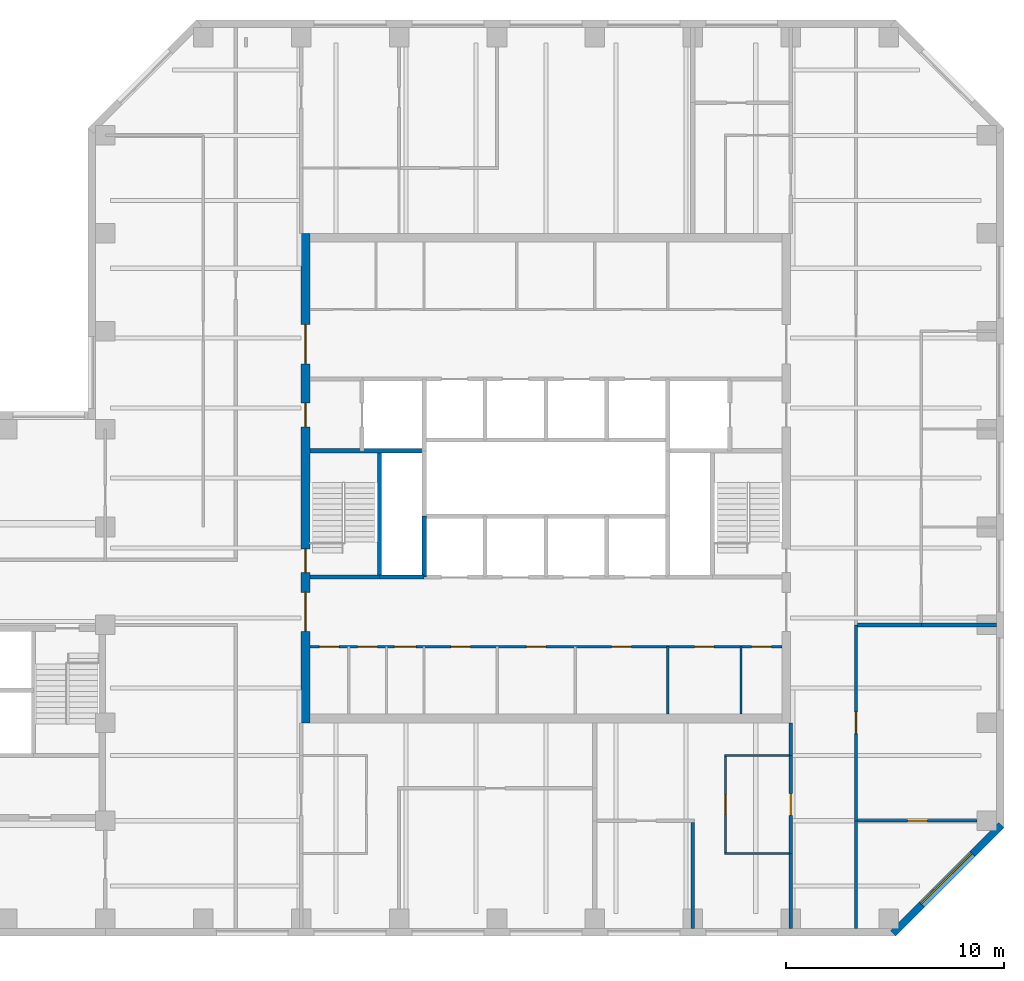
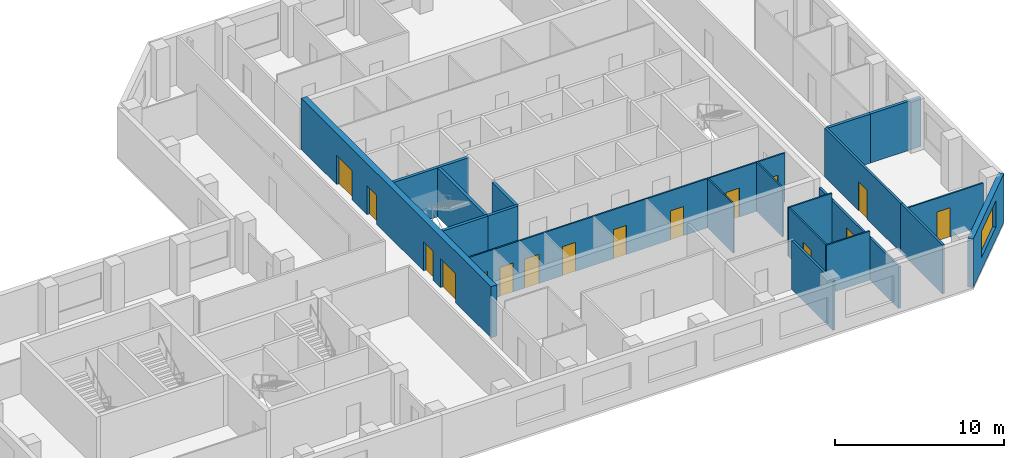
# One storey, part 4 of 8: 22 walls, 16 doors, 1 window, 17 openings.
"""IFC4 building model written with IfcOpenShell, lengths in metres."""

from ifc_helpers import new_model, si_unit, direction, frame, frame_2d, origin, place, context, subcontext, project, spatial, rectangle, extrude, material, layer, layer_set, constituent, constituent_set, type_object, element, fill, save


model = new_model("IFC4")

# Units and contexts
model_context = context("Model", 3, precision=1e-05, world=origin(), true_north=direction((0.0, 1.0)))
body_context = subcontext(model_context, "Body", "Model", "MODEL_VIEW")
ifc_project = project(units=[si_unit("LENGTHUNIT", "METRE"), si_unit("AREAUNIT", "SQUARE_METRE"), si_unit("VOLUMEUNIT", "CUBIC_METRE"), si_unit("PLANEANGLEUNIT", "RADIAN"), si_unit("MASSUNIT", "GRAM", prefix="KILO")], contexts=[model_context])

# Site, building, storey
site_placement = place(None, origin())
site = spatial("IfcSite", under=ifc_project, at=site_placement, CompositionType="ELEMENT")
building_placement = place(site_placement, origin())
building = spatial("IfcBuilding", under=site, at=building_placement, Name="Quoin Convention Tower", CompositionType="ELEMENT")
storey_placement = place(building_placement, frame((0.0, 0.0, 211.89990234375)))
storey = spatial("IfcBuildingStorey", under=building, at=storey_placement, Name="L55", CompositionType="ELEMENT", Elevation=211.89990234375)

# Wall
ifc_material_1 = material(Name="Plasterboard")
ifc_layer_1 = layer(ifc_material_1, 0.012451171875, Name="Finish")
ifc_material_2 = material(Name="Steel stud framing", Category="steel")
ifc_layer_2 = layer(ifc_material_2, 0.125, Name="Structure")
ifc_layer_3 = layer(ifc_material_1, 0.012451171875, Name="Finish")
ifc_layer_set_1 = layer_set([ifc_layer_1, ifc_layer_2, ifc_layer_3], Name="Steel stud framing")
wall_type_1 = type_object("IfcWallType", Name="Acoustic partition 150", PredefinedType="PARTITIONING", material=ifc_layer_set_1)
wall_1_placement = place(storey_placement, frame((63.0, 40.050048828125, 0.0), z_axis=(0.0, 0.0, 1.0), x_axis=(0.0, 1.0, 0.0)))
element("IfcWall", 1, at=wall_1_placement, inside=storey, type_object=wall_type_1, Name="pw-L55-030", PredefinedType="PARTITIONING", context=body_context, shape_type="SweptSolid", body=[
    extrude(rectangle(XDim=4.875, YDim=0.14990234375, at=frame_2d((2.4375, 0.0))), origin(), (0.0, 0.0, 1.0), 3.550048828125),
])

# Wall, opening, window
ifc_material_3 = material(Name="Brick masonry", Category="masonry")
ifc_layer_4 = layer(ifc_material_3, 0.35009765625)
ifc_layer_set_2 = layer_set([ifc_layer_4], Name="Brick masonry")
wall_type_2 = type_object("IfcWallType", Name="Brick facade wall", PredefinedType="STANDARD", material=ifc_layer_set_2)
wall_2_placement = place(storey_placement, frame((72.20751953125, 39.82373046875, 0.0), z_axis=(0.0, 0.0, 1.0), x_axis=(0.707106781187, 0.707106781187, 0.0)))
wall_2 = element("IfcWall", 2, at=wall_2_placement, inside=storey, type_object=wall_type_2, Name="fw-L55-72000_40500", PredefinedType="STANDARD", context=body_context, shape_type="SweptSolid", body=[
    extrude(rectangle(XDim=7.02685546875, YDim=0.35009765625, at=frame_2d((3.513427734375, 0.0))), origin(), (0.0, 0.0, 1.0), 3.525146484375),
])
opening_1_placement = place(wall_2_placement, frame((1.86328125, 0.0, 0.89990234375)))
opening_1 = element("IfcOpeningElement", 3, at=opening_1_placement, cuts=wall_2, Name="Opening W-02", PredefinedType="OPENING", context=body_context, shape_type="SweptSolid", body=[
    extrude(rectangle(XDim=3.300048828125, YDim=1.89990234375, at=frame_2d((1.64990234375, 0.949951171875))), frame((0.0, 0.18505859375, 0.0), z_axis=(0.0, -1.0, 0.0), x_axis=(1.0, 0.0, 0.0)), (0.0, 0.0, 1.0), 0.3701171875),
])
ifc_material_4 = material(Name="Aluminium", Category="aluminium")
ifc_constituent_1 = constituent(ifc_material_4, Name="Frame")
ifc_material_5 = material(Name="Insulated glass", Category="glass")
ifc_constituent_2 = constituent(ifc_material_5, Name="Glazing")
ifc_constituent_set = constituent_set(constituents=[ifc_constituent_1, ifc_constituent_2], Name="Aluminium")
window_type = type_object("IfcWindowType", Name="Office window", PartitioningType="DOUBLE_PANEL_VERTICAL", PredefinedType="WINDOW", material=ifc_constituent_set)
window_placement = place(opening_1_placement, origin())
window = element("IfcWindow", 4, at=window_placement, inside=storey, type_object=window_type, Name="win-L55-74692_42308", OverallHeight=1.89990234375, OverallWidth=3.300048828125, PartitioningType="SINGLE_PANEL", PredefinedType="WINDOW", context=body_context, shape_type="SweptSolid", body=[
    extrude(rectangle(XDim=3.300048828125, YDim=1.89990234375, at=frame_2d((1.64990234375, 0.949951171875))), frame((0.0, 0.0849609375, 0.0), z_axis=(0.0, -1.0, 0.0), x_axis=(1.0, 0.0, 0.0)), (0.0, 0.0, 1.0), 0.06005859375),
])
fill(opening_1, window)

# Wall, openings, doors
ifc_layer_5 = layer(ifc_material_1, 0.012451171875, Name="Finish")
ifc_layer_6 = layer(ifc_material_2, 0.074951171875, Name="Structure")
ifc_layer_7 = layer(ifc_material_1, 0.012451171875, Name="Finish")
ifc_layer_set_3 = layer_set([ifc_layer_5, ifc_layer_6, ifc_layer_7], Name="Steel stud framing")
wall_type_3 = type_object("IfcWallType", Name="Core partition wall", PredefinedType="PARTITIONING", material=ifc_layer_set_3)
wall_3_placement = place(storey_placement, frame((45.39990234375, 53.0, 0.0), z_axis=(0.0, 0.0, 1.0), x_axis=(1.0, 0.0, 0.0)))
wall_3 = element("IfcWall", 5, at=wall_3_placement, inside=storey, type_object=wall_type_3, Name="cr-C1-L55-h3500_400", PredefinedType="PARTITIONING", context=body_context, shape_type="SweptSolid", body=[
    extrude(rectangle(XDim=21.7001953125, YDim=0.10009765625, at=frame_2d((10.85009765625, 0.0))), origin(), (0.0, 0.0, 1.0), 3.550048828125),
])
opening_2_placement = place(wall_3_placement, frame((20.304931640625, 0.0, 0.0)))
opening_2 = element("IfcOpeningElement", 6, at=opening_2_placement, cuts=wall_3, Name="Opening DCV1-36", PredefinedType="OPENING", context=body_context, shape_type="SweptSolid", body=[
    extrude(rectangle(XDim=0.89990234375, YDim=2.10009765625, at=frame_2d((0.449951171875, 1.050048828125))), frame((0.0, 0.06005859375, 0.0), z_axis=(0.0, -1.0, 0.0), x_axis=(1.0, 0.0, 0.0)), (0.0, 0.0, 1.0), 0.1201171875),
])
opening_3_placement = place(wall_3_placement, frame((17.679931640625, 0.0, 0.0)))
opening_3 = element("IfcOpeningElement", 7, at=opening_3_placement, cuts=wall_3, Name="Opening DCV1-35", PredefinedType="OPENING", context=body_context, shape_type="SweptSolid", body=[
    extrude(rectangle(XDim=0.89990234375, YDim=2.10009765625, at=frame_2d((0.449951171875, 1.050048828125))), frame((0.0, 0.06005859375, 0.0), z_axis=(0.0, -1.0, 0.0), x_axis=(1.0, 0.0, 0.0)), (0.0, 0.0, 1.0), 0.1201171875),
])
opening_4_placement = place(wall_3_placement, frame((0.4423828125, 0.0, 0.0)))
opening_4 = element("IfcOpeningElement", 8, at=opening_4_placement, cuts=wall_3, Name="Opening DCV1-27", PredefinedType="OPENING", context=body_context, shape_type="SweptSolid", body=[
    extrude(rectangle(XDim=0.89990234375, YDim=2.10009765625, at=frame_2d((0.449951171875, 1.050048828125))), frame((0.0, 0.06005859375, 0.0), z_axis=(0.0, -1.0, 0.0), x_axis=(1.0, 0.0, 0.0)), (0.0, 0.0, 1.0), 0.1201171875),
])
opening_5_placement = place(wall_3_placement, frame((2.201416015625, 0.0, 0.0)))
opening_5 = element("IfcOpeningElement", 9, at=opening_5_placement, cuts=wall_3, Name="Opening DCV1-28", PredefinedType="OPENING", context=body_context, shape_type="SweptSolid", body=[
    extrude(rectangle(XDim=0.89990234375, YDim=2.10009765625, at=frame_2d((0.449951171875, 1.050048828125))), frame((0.0, 0.06005859375, 0.0), z_axis=(0.0, -1.0, 0.0), x_axis=(1.0, 0.0, 0.0)), (0.0, 0.0, 1.0), 0.1201171875),
])
opening_6_placement = place(wall_3_placement, frame((3.8837890625, 0.0, 0.0)))
opening_6 = element("IfcOpeningElement", 10, at=opening_6_placement, cuts=wall_3, Name="Opening DCV1-29", PredefinedType="OPENING", context=body_context, shape_type="SweptSolid", body=[
    extrude(rectangle(XDim=1.0, YDim=2.10009765625, at=frame_2d((0.5, 1.050048828125))), frame((0.0, 0.06005859375, 0.0), z_axis=(0.0, -1.0, 0.0), x_axis=(1.0, 0.0, 0.0)), (0.0, 0.0, 1.0), 0.1201171875),
])
opening_7_placement = place(wall_3_placement, frame((6.47998046875, 0.0, 0.0)))
opening_7 = element("IfcOpeningElement", 11, at=opening_7_placement, cuts=wall_3, Name="Opening DCV1-30", PredefinedType="OPENING", context=body_context, shape_type="SweptSolid", body=[
    extrude(rectangle(XDim=0.89990234375, YDim=2.10009765625, at=frame_2d((0.449951171875, 1.050048828125))), frame((0.0, 0.06005859375, 0.0), z_axis=(0.0, -1.0, 0.0), x_axis=(1.0, 0.0, 0.0)), (0.0, 0.0, 1.0), 0.1201171875),
])
opening_8_placement = place(wall_3_placement, frame((9.951904296875, 0.0, 0.0)))
opening_8 = element("IfcOpeningElement", 12, at=opening_8_placement, cuts=wall_3, Name="Opening DCV1-32", PredefinedType="OPENING", context=body_context, shape_type="SweptSolid", body=[
    extrude(rectangle(XDim=0.89990234375, YDim=2.10009765625, at=frame_2d((0.449951171875, 1.050048828125))), frame((0.0, 0.06005859375, 0.0), z_axis=(0.0, -1.0, 0.0), x_axis=(1.0, 0.0, 0.0)), (0.0, 0.0, 1.0), 0.1201171875),
])
opening_9_placement = place(wall_3_placement, frame((13.8720703125, 0.0, 0.0)))
opening_9 = element("IfcOpeningElement", 13, at=opening_9_placement, cuts=wall_3, Name="Opening DCV1-34", PredefinedType="OPENING", context=body_context, shape_type="SweptSolid", body=[
    extrude(rectangle(XDim=0.89990234375, YDim=2.10009765625, at=frame_2d((0.449951171875, 1.050048828125))), frame((0.0, 0.06005859375, 0.0), z_axis=(0.0, -1.0, 0.0), x_axis=(1.0, 0.0, 0.0)), (0.0, 0.0, 1.0), 0.1201171875),
])
ifc_material_6 = material(Name="Steel door leaf", Category="steel")
door_type_1 = type_object("IfcDoorType", Name="Core room door 1000 x 2100", OperationType="SINGLE_SWING_LEFT", PredefinedType="DOOR", material=ifc_material_6)
door_1_placement = place(opening_6_placement, frame((1.0, 0.0, 0.0), z_axis=(0.0, 0.0, 1.0), x_axis=(-1.0, 0.0, 0.0)))
door_1 = element("IfcDoor", 14, at=door_1_placement, inside=storey, type_object=door_type_1, Name="cd-C1-L55-CSW2-lobA-CD5514", OperationType="SINGLE_SWING_LEFT", OverallHeight=2.10009765625, OverallWidth=1.0, PredefinedType="DOOR", context=body_context, shape_type="SweptSolid", body=[
    extrude(rectangle(XDim=1.0, YDim=2.10009765625, at=frame_2d((0.5, 1.050048828125))), frame((0.0, 0.02490234375, 0.0), z_axis=(0.0, -1.0, 0.0), x_axis=(1.0, 0.0, 0.0)), (0.0, 0.0, 1.0), 0.050048828125),
])
fill(opening_6, door_1)
door_type_2 = type_object("IfcDoorType", Name="Core room door 900 x 2100", OperationType="SINGLE_SWING_LEFT", PredefinedType="DOOR", material=ifc_material_6)
door_2_placement = place(opening_2_placement, frame((0.89990234375, 0.0, 0.0), z_axis=(0.0, 0.0, 1.0), x_axis=(-1.0, 0.0, 0.0)))
door_2 = element("IfcDoor", 15, at=door_2_placement, inside=storey, type_object=door_type_2, Name="cd-C1-L55-CSE0-lobA-CD5510", OperationType="SINGLE_SWING_LEFT", OverallHeight=2.10009765625, OverallWidth=0.89990234375, PredefinedType="DOOR", context=body_context, shape_type="SweptSolid", body=[
    extrude(rectangle(XDim=0.89990234375, YDim=2.10009765625, at=frame_2d((0.449951171875, 1.050048828125))), frame((0.0, 0.02490234375, 0.0), z_axis=(0.0, -1.0, 0.0), x_axis=(1.0, 0.0, 0.0)), (0.0, 0.0, 1.0), 0.050048828125),
])
fill(opening_2, door_2)
door_3_placement = place(opening_3_placement, frame((0.89990234375, 0.0, 0.0), z_axis=(0.0, 0.0, 1.0), x_axis=(-1.0, 0.0, 0.0)))
door_3 = element("IfcDoor", 16, at=door_3_placement, inside=storey, type_object=door_type_2, Name="cd-C1-L55-CSE1-lobA-CD5511", OperationType="SINGLE_SWING_LEFT", OverallHeight=2.10009765625, OverallWidth=0.89990234375, PredefinedType="DOOR", context=body_context, shape_type="SweptSolid", body=[
    extrude(rectangle(XDim=0.89990234375, YDim=2.10009765625, at=frame_2d((0.449951171875, 1.050048828125))), frame((0.0, 0.02490234375, 0.0), z_axis=(0.0, -1.0, 0.0), x_axis=(1.0, 0.0, 0.0)), (0.0, 0.0, 1.0), 0.050048828125),
])
fill(opening_3, door_3)
door_4_placement = place(opening_4_placement, frame((0.89990234375, 0.0, 0.0), z_axis=(0.0, 0.0, 1.0), x_axis=(-1.0, 0.0, 0.0)))
door_4 = element("IfcDoor", 17, at=door_4_placement, inside=storey, type_object=door_type_2, Name="cd-C1-L55-CSW0-lobA-CD5512", OperationType="SINGLE_SWING_LEFT", OverallHeight=2.10009765625, OverallWidth=0.89990234375, PredefinedType="DOOR", context=body_context, shape_type="SweptSolid", body=[
    extrude(rectangle(XDim=0.89990234375, YDim=2.10009765625, at=frame_2d((0.449951171875, 1.050048828125))), frame((0.0, 0.02490234375, 0.0), z_axis=(0.0, -1.0, 0.0), x_axis=(1.0, 0.0, 0.0)), (0.0, 0.0, 1.0), 0.050048828125),
])
fill(opening_4, door_4)
door_5_placement = place(opening_5_placement, frame((0.89990234375, 0.0, 0.0), z_axis=(0.0, 0.0, 1.0), x_axis=(-1.0, 0.0, 0.0)))
door_5 = element("IfcDoor", 18, at=door_5_placement, inside=storey, type_object=door_type_2, Name="cd-C1-L55-CSW1-lobA-CD5513", OperationType="SINGLE_SWING_LEFT", OverallHeight=2.10009765625, OverallWidth=0.89990234375, PredefinedType="DOOR", context=body_context, shape_type="SweptSolid", body=[
    extrude(rectangle(XDim=0.89990234375, YDim=2.10009765625, at=frame_2d((0.449951171875, 1.050048828125))), frame((0.0, 0.02490234375, 0.0), z_axis=(0.0, -1.0, 0.0), x_axis=(1.0, 0.0, 0.0)), (0.0, 0.0, 1.0), 0.050048828125),
])
fill(opening_5, door_5)
door_6_placement = place(opening_7_placement, frame((0.89990234375, 0.0, 0.0), z_axis=(0.0, 0.0, 1.0), x_axis=(-1.0, 0.0, 0.0)))
door_6 = element("IfcDoor", 19, at=door_6_placement, inside=storey, type_object=door_type_2, Name="cd-C1-L55-F10-lobA-CD5515", OperationType="SINGLE_SWING_LEFT", OverallHeight=2.10009765625, OverallWidth=0.89990234375, PredefinedType="DOOR", context=body_context, shape_type="SweptSolid", body=[
    extrude(rectangle(XDim=0.89990234375, YDim=2.10009765625, at=frame_2d((0.449951171875, 1.050048828125))), frame((0.0, 0.02490234375, 0.0), z_axis=(0.0, -1.0, 0.0), x_axis=(1.0, 0.0, 0.0)), (0.0, 0.0, 1.0), 0.050048828125),
])
fill(opening_7, door_6)
door_7_placement = place(opening_8_placement, frame((0.89990234375, 0.0, 0.0), z_axis=(0.0, 0.0, 1.0), x_axis=(-1.0, 0.0, 0.0)))
door_7 = element("IfcDoor", 20, at=door_7_placement, inside=storey, type_object=door_type_2, Name="cd-C1-L55-F11-lobA-CD5516", OperationType="SINGLE_SWING_LEFT", OverallHeight=2.10009765625, OverallWidth=0.89990234375, PredefinedType="DOOR", context=body_context, shape_type="SweptSolid", body=[
    extrude(rectangle(XDim=0.89990234375, YDim=2.10009765625, at=frame_2d((0.449951171875, 1.050048828125))), frame((0.0, 0.02490234375, 0.0), z_axis=(0.0, -1.0, 0.0), x_axis=(1.0, 0.0, 0.0)), (0.0, 0.0, 1.0), 0.050048828125),
])
fill(opening_8, door_7)
door_8_placement = place(opening_9_placement, frame((0.89990234375, 0.0, 0.0), z_axis=(0.0, 0.0, 1.0), x_axis=(-1.0, 0.0, 0.0)))
door_8 = element("IfcDoor", 21, at=door_8_placement, inside=storey, type_object=door_type_2, Name="cd-C1-L55-F12-lobA-CD5517", OperationType="SINGLE_SWING_LEFT", OverallHeight=2.10009765625, OverallWidth=0.89990234375, PredefinedType="DOOR", context=body_context, shape_type="SweptSolid", body=[
    extrude(rectangle(XDim=0.89990234375, YDim=2.10009765625, at=frame_2d((0.449951171875, 1.050048828125))), frame((0.0, 0.02490234375, 0.0), z_axis=(0.0, -1.0, 0.0), x_axis=(1.0, 0.0, 0.0)), (0.0, 0.0, 1.0), 0.050048828125),
])
fill(opening_9, door_8)

# Walls
for number, where, z_axis, x_axis, name in (
    (22, (61.85009765625, 49.89990234375, 0.0), (0.0, 0.0, 1.0), (0.0, 1.0, 0.0), "cr-C1-L55-v16850_400"),
    (23, (65.2099609375, 49.89990234375, 0.0), (0.0, 0.0, 1.0), (0.0, 1.0, 0.0), "cr-C1-L55-v20210_400"),
):
    element("IfcWall", number, at=place(storey_placement, frame(where, z_axis=z_axis, x_axis=x_axis)), inside=storey, type_object=wall_type_3, Name=name, PredefinedType="PARTITIONING", context=body_context, shape_type="SweptSolid", body=[
        extrude(rectangle(XDim=3.10009765625, YDim=0.10009765625, at=frame_2d((1.550048828125, 0.0))), origin(), (0.0, 0.0, 1.0), 3.550048828125),
    ])
ifc_material_7 = material(Name="Concrete C50", Category="concrete")
ifc_layer_8 = layer(ifc_material_7, 0.199951171875)
ifc_layer_set_4 = layer_set([ifc_layer_8], Name="Concrete C50")
wall_type_4 = type_object("IfcWallType", Name="Core shaft wall", PredefinedType="SOLIDWALL", material=ifc_layer_set_4)
wall_4_placement = place(storey_placement, frame((48.60009765625, 56.199951171875, 0.0), z_axis=(0.0, 0.0, 1.0), x_axis=(1.0, 0.0, 0.0)))
element("IfcWall", 24, at=wall_4_placement, inside=storey, type_object=wall_type_4, Name="cr-C1-L55-h6700_3600", PredefinedType="SOLIDWALL", context=body_context, shape_type="SweptSolid", body=[
    extrude(rectangle(XDim=2.0498046875, YDim=0.199951171875, at=frame_2d((1.02490234375, 0.0))), origin(), (0.0, 0.0, 1.0), 3.550048828125),
])
wall_5_placement = place(storey_placement, frame((45.39990234375, 56.199951171875, 0.0), z_axis=(0.0, 0.0, 1.0), x_axis=(1.0, 0.0, 0.0)))
element("IfcWall", 25, at=wall_5_placement, inside=storey, type_object=wall_type_4, Name="cr-C1-L55-h6700_400", PredefinedType="SOLIDWALL", context=body_context, shape_type="SweptSolid", body=[
    extrude(rectangle(XDim=3.2001953125, YDim=0.199951171875, at=frame_2d((1.60009765625, 0.0))), origin(), (0.0, 0.0, 1.0), 3.550048828125),
])
wall_6_placement = place(storey_placement, frame((45.39990234375, 62.0, 0.0), z_axis=(0.0, 0.0, 1.0), x_axis=(1.0, 0.0, 0.0)))
element("IfcWall", 26, at=wall_6_placement, inside=storey, type_object=wall_type_4, Name="cr-C1-L55-h12500_400", PredefinedType="SOLIDWALL", context=body_context, shape_type="SweptSolid", body=[
    extrude(rectangle(XDim=5.25, YDim=0.199951171875, at=frame_2d((2.625, 0.0))), origin(), (0.0, 0.0, 1.0), 3.550048828125),
])
wall_7_placement = place(storey_placement, frame((48.60009765625, 56.199951171875, 0.0), z_axis=(0.0, 0.0, 1.0), x_axis=(0.0, 1.0, 0.0)))
element("IfcWall", 27, at=wall_7_placement, inside=storey, type_object=wall_type_4, Name="cr-C1-L55-v3600_6700", PredefinedType="SOLIDWALL", context=body_context, shape_type="SweptSolid", body=[
    extrude(rectangle(XDim=5.800048828125, YDim=0.199951171875, at=frame_2d((2.89990234375, 0.0))), origin(), (0.0, 0.0, 1.0), 3.550048828125),
])
wall_8_placement = place(storey_placement, frame((50.64990234375, 56.199951171875, 0.0), z_axis=(0.0, 0.0, 1.0), x_axis=(0.0, 1.0, 0.0)))
element("IfcWall", 28, at=wall_8_placement, inside=storey, type_object=wall_type_4, Name="cr-C1-L55-v5650_6700", PredefinedType="SOLIDWALL", context=body_context, shape_type="SweptSolid", body=[
    extrude(rectangle(XDim=2.800048828125, YDim=0.199951171875, at=frame_2d((1.39990234375, 0.0))), origin(), (0.0, 0.0, 1.0), 3.550048828125),
])
ifc_layer_9 = layer(ifc_material_1, 0.012451171875, Name="Finish")
ifc_layer_10 = layer(ifc_material_2, 0.125, Name="Structure")
ifc_layer_11 = layer(ifc_material_1, 0.012451171875, Name="Finish")
ifc_layer_set_5 = layer_set([ifc_layer_9, ifc_layer_10, ifc_layer_11], Name="Steel stud framing")
wall_type_5 = type_object("IfcWallType", Name="Corridor wall 150", PredefinedType="PARTITIONING", material=ifc_layer_set_5)
wall_9_placement = place(storey_placement, frame((70.5, 40.050048828125, 0.0), z_axis=(0.0, 0.0, 1.0), x_axis=(0.0, 1.0, 0.0)))
element("IfcWall", 29, at=wall_9_placement, inside=storey, type_object=wall_type_5, Name="pw-L55-032", PredefinedType="PARTITIONING", context=body_context, shape_type="SweptSolid", body=[
    extrude(rectangle(XDim=4.949951171875, YDim=0.14990234375, at=frame_2d((2.47509765625, 0.0))), origin(), (0.0, 0.0, 1.0), 3.550048828125),
])

# Wall, opening, door
wall_10_placement = place(storey_placement, frame((70.5, 45.0, 0.0), z_axis=(0.0, 0.0, 1.0), x_axis=(0.0, 1.0, 0.0)))
wall_10 = element("IfcWall", 30, at=wall_10_placement, inside=storey, type_object=wall_type_5, Name="pw-L55-040", PredefinedType="PARTITIONING", context=body_context, shape_type="SweptSolid", body=[
    extrude(rectangle(XDim=9.0, YDim=0.14990234375, at=frame_2d((4.5, 0.0))), origin(), (0.0, 0.0, 1.0), 3.550048828125),
])
opening_10_placement = place(wall_10_placement, frame((4.0, 0.0, 0.0)))
opening_10 = element("IfcOpeningElement", 31, at=opening_10_placement, cuts=wall_10, Name="Opening DOH9-14", PredefinedType="OPENING", context=body_context, shape_type="SweptSolid", body=[
    extrude(rectangle(XDim=1.0, YDim=2.10009765625, at=frame_2d((0.5, 1.050048828125))), frame((0.0, 0.0849609375, 0.0), z_axis=(0.0, -1.0, 0.0), x_axis=(1.0, 0.0, 0.0)), (0.0, 0.0, 1.0), 0.169921875),
])
door_type_3 = type_object("IfcDoorType", Name="Tenancy entrance door 1000 x 2100", OperationType="DOUBLE_DOOR_SINGLE_SWING", PredefinedType="DOOR", material=ifc_material_6)
door_9_placement = place(opening_10_placement, frame((1.0, 0.0, 0.0), z_axis=(0.0, 0.0, 1.0), x_axis=(-1.0, 0.0, 0.0)))
door_9 = element("IfcDoor", 32, at=door_9_placement, inside=storey, type_object=door_type_3, Name="dr-L55-20", OperationType="DOUBLE_DOOR_SINGLE_SWING", OverallHeight=2.10009765625, OverallWidth=1.0, PredefinedType="DOOR", context=body_context, shape_type="SweptSolid", body=[
    extrude(rectangle(XDim=1.0, YDim=2.10009765625, at=frame_2d((0.5, 1.050048828125))), frame((0.0, 0.02490234375, 0.0), z_axis=(0.0, -1.0, 0.0), x_axis=(1.0, 0.0, 0.0)), (0.0, 0.0, 1.0), 0.050048828125),
])
fill(opening_10, door_9)

# Wall
ifc_layer_12 = layer(ifc_material_1, 0.012451171875, Name="Finish")
ifc_layer_13 = layer(ifc_material_2, 0.125, Name="Structure")
ifc_layer_14 = layer(ifc_material_1, 0.012451171875, Name="Finish")
ifc_layer_set_6 = layer_set([ifc_layer_12, ifc_layer_13, ifc_layer_14], Name="Steel stud framing")
wall_type_6 = type_object("IfcWallType", Name="Corridor wall 150 under beam 528", PredefinedType="PARTITIONING", material=ifc_layer_set_6)
wall_11_placement = place(storey_placement, frame((67.5, 40.050048828125, 0.0), z_axis=(0.0, 0.0, 1.0), x_axis=(0.0, 1.0, 0.0)))
element("IfcWall", 33, at=wall_11_placement, inside=storey, type_object=wall_type_6, Name="pw-L55-031", PredefinedType="PARTITIONING", context=body_context, shape_type="SweptSolid", body=[
    extrude(rectangle(XDim=3.449951171875, YDim=0.14990234375, at=frame_2d((1.72509765625, 0.0))), origin(), (0.0, 0.0, 1.0), 3.022216796875),
])

# Wall, opening, door
wall_12_placement = place(storey_placement, frame((67.5, 43.5, 0.0), z_axis=(0.0, 0.0, 1.0), x_axis=(0.0, 1.0, 0.0)))
wall_12 = element("IfcWall", 34, at=wall_12_placement, inside=storey, type_object=wall_type_6, Name="pw-L55-035", PredefinedType="PARTITIONING", context=body_context, shape_type="SweptSolid", body=[
    extrude(rectangle(XDim=4.5, YDim=0.14990234375, at=frame_2d((2.25, 0.0))), origin(), (0.0, 0.0, 1.0), 3.022216796875),
])
opening_11_placement = place(wall_12_placement, frame((1.75, 0.0, 0.0)))
opening_11 = element("IfcOpeningElement", 35, at=opening_11_placement, cuts=wall_12, Name="Opening DOH9-11", PredefinedType="OPENING", context=body_context, shape_type="SweptSolid", body=[
    extrude(rectangle(XDim=1.0, YDim=2.10009765625, at=frame_2d((0.5, 1.050048828125))), frame((0.0, 0.0849609375, 0.0), z_axis=(0.0, -1.0, 0.0), x_axis=(1.0, 0.0, 0.0)), (0.0, 0.0, 1.0), 0.169921875),
])
door_10_placement = place(opening_11_placement, frame((1.0, 0.0, 0.0), z_axis=(0.0, 0.0, 1.0), x_axis=(-1.0, 0.0, 0.0)))
door_10 = element("IfcDoor", 36, at=door_10_placement, inside=storey, type_object=door_type_3, Name="dr-L55-10", OperationType="DOUBLE_DOOR_SINGLE_SWING", OverallHeight=2.10009765625, OverallWidth=1.0, PredefinedType="DOOR", context=body_context, shape_type="SweptSolid", body=[
    extrude(rectangle(XDim=1.0, YDim=2.10009765625, at=frame_2d((0.5, 1.050048828125))), frame((0.0, 0.02490234375, 0.0), z_axis=(0.0, -1.0, 0.0), x_axis=(1.0, 0.0, 0.0)), (0.0, 0.0, 1.0), 0.050048828125),
])
fill(opening_11, door_10)

# Wall
wall_13_placement = place(storey_placement, frame((67.5, 48.0, 0.0), z_axis=(0.0, 0.0, 1.0), x_axis=(0.0, 1.0, 0.0)))
element("IfcWall", 37, at=wall_13_placement, inside=storey, type_object=wall_type_6, Name="pw-L55-046", PredefinedType="PARTITIONING", context=body_context, shape_type="SweptSolid", body=[
    extrude(rectangle(XDim=1.5, YDim=0.14990234375, at=frame_2d((0.75, 0.0))), origin(), (0.0, 0.0, 1.0), 3.022216796875),
])

# Wall, openings, doors
ifc_layer_15 = layer(ifc_material_7, 0.39990234375)
ifc_layer_set_7 = layer_set([ifc_layer_15], Name="Concrete C50")
wall_type_7 = type_object("IfcWallType", Name="RC CORE WALL 400 C50", PredefinedType="SHEAR", material=ifc_layer_set_7)
wall_14_placement = place(storey_placement, frame((45.199951171875, 49.5, 0.0), z_axis=(0.0, 0.0, 1.0), x_axis=(0.0, 1.0, 0.0)))
wall_14 = element("IfcWall", 38, at=wall_14_placement, inside=storey, type_object=wall_type_7, Name="cwl-C1-L55-W", PredefinedType="SHEAR", context=body_context, shape_type="SweptSolid", body=[
    extrude(rectangle(XDim=22.5, YDim=0.39990234375, at=frame_2d((11.25, 0.0))), origin(), (0.0, 0.0, 1.0), 3.7001953125),
])
opening_12_placement = place(wall_14_placement, frame((4.199951171875, 0.0, 0.0)))
opening_12 = element("IfcOpeningElement", 39, at=opening_12_placement, cuts=wall_14, Name="Opening DCV1-49", PredefinedType="OPENING", context=body_context, shape_type="SweptSolid", body=[
    extrude(rectangle(XDim=1.800048828125, YDim=2.10009765625, at=frame_2d((0.89990234375, 1.050048828125))), frame((0.0, 0.2099609375, 0.0), z_axis=(0.0, -1.0, 0.0), x_axis=(1.0, 0.0, 0.0)), (0.0, 0.0, 1.0), 0.419921875),
])
opening_13_placement = place(wall_14_placement, frame((6.89990234375, 0.0, 0.0)))
opening_13 = element("IfcOpeningElement", 40, at=opening_13_placement, cuts=wall_14, Name="Opening SD1", PredefinedType="OPENING", context=body_context, shape_type="SweptSolid", body=[
    extrude(rectangle(XDim=1.10009765625, YDim=2.10009765625, at=frame_2d((0.550048828125, 1.050048828125))), frame((0.0, 0.2099609375, 0.0), z_axis=(0.0, -1.0, 0.0), x_axis=(1.0, 0.0, 0.0)), (0.0, 0.0, 1.0), 0.419921875),
])
opening_14_placement = place(wall_14_placement, frame((13.60009765625, 0.0, 0.0)))
opening_14 = element("IfcOpeningElement", 41, at=opening_14_placement, cuts=wall_14, Name="Opening DCV1-48", PredefinedType="OPENING", context=body_context, shape_type="SweptSolid", body=[
    extrude(rectangle(XDim=1.10009765625, YDim=2.10009765625, at=frame_2d((0.550048828125, 1.050048828125))), frame((0.0, 0.2099609375, 0.0), z_axis=(0.0, -1.0, 0.0), x_axis=(1.0, 0.0, 0.0)), (0.0, 0.0, 1.0), 0.419921875),
])
opening_15_placement = place(wall_14_placement, frame((16.5, 0.0, 0.0)))
opening_15 = element("IfcOpeningElement", 42, at=opening_15_placement, cuts=wall_14, Name="Opening DCV1-49", PredefinedType="OPENING", context=body_context, shape_type="SweptSolid", body=[
    extrude(rectangle(XDim=1.800048828125, YDim=2.10009765625, at=frame_2d((0.89990234375, 1.050048828125))), frame((0.0, 0.2099609375, 0.0), z_axis=(0.0, -1.0, 0.0), x_axis=(1.0, 0.0, 0.0)), (0.0, 0.0, 1.0), 0.419921875),
])
door_type_4 = type_object("IfcDoorType", Name="Fire-fighting lobby door 1100 x 2100", OperationType="SINGLE_SWING_LEFT", PredefinedType="DOOR", material=ifc_material_6)
door_11_placement = place(opening_14_placement, frame((1.10009765625, 0.0, 0.0), z_axis=(0.0, 0.0, 1.0), x_axis=(-1.0, 0.0, 0.0)))
door_11 = element("IfcDoor", 43, at=door_11_placement, inside=storey, type_object=door_type_4, Name="cd-C1-L55-FFW-W", OperationType="SINGLE_SWING_LEFT", OverallHeight=2.10009765625, OverallWidth=1.10009765625, PredefinedType="DOOR", context=body_context, shape_type="SweptSolid", body=[
    extrude(rectangle(XDim=1.10009765625, YDim=2.10009765625, at=frame_2d((0.550048828125, 1.050048828125))), frame((0.0, 0.02490234375, 0.0), z_axis=(0.0, -1.0, 0.0), x_axis=(1.0, 0.0, 0.0)), (0.0, 0.0, 1.0), 0.050048828125),
])
fill(opening_14, door_11)
door_type_5 = type_object("IfcDoorType", Name="Lift lobby door 1800 x 2100", OperationType="SINGLE_SWING_LEFT", PredefinedType="DOOR", material=ifc_material_6)
door_12_placement = place(opening_12_placement, frame((1.800048828125, 0.0, 0.0), z_axis=(0.0, 0.0, 1.0), x_axis=(-1.0, 0.0, 0.0)))
door_12 = element("IfcDoor", 44, at=door_12_placement, inside=storey, type_object=door_type_5, Name="cd-C1-L55-lobA-W", OperationType="SINGLE_SWING_LEFT", OverallHeight=2.10009765625, OverallWidth=1.800048828125, PredefinedType="DOOR", context=body_context, shape_type="SweptSolid", body=[
    extrude(rectangle(XDim=1.800048828125, YDim=2.10009765625, at=frame_2d((0.89990234375, 1.050048828125))), frame((0.0, 0.02490234375, 0.0), z_axis=(0.0, -1.0, 0.0), x_axis=(1.0, 0.0, 0.0)), (0.0, 0.0, 1.0), 0.050048828125),
])
fill(opening_12, door_12)
door_13_placement = place(opening_15_placement, frame((1.800048828125, 0.0, 0.0), z_axis=(0.0, 0.0, 1.0), x_axis=(-1.0, 0.0, 0.0)))
door_13 = element("IfcDoor", 45, at=door_13_placement, inside=storey, type_object=door_type_5, Name="cd-C1-L55-lobB-W", OperationType="SINGLE_SWING_LEFT", OverallHeight=2.10009765625, OverallWidth=1.800048828125, PredefinedType="DOOR", context=body_context, shape_type="SweptSolid", body=[
    extrude(rectangle(XDim=1.800048828125, YDim=2.10009765625, at=frame_2d((0.89990234375, 1.050048828125))), frame((0.0, 0.02490234375, 0.0), z_axis=(0.0, -1.0, 0.0), x_axis=(1.0, 0.0, 0.0)), (0.0, 0.0, 1.0), 0.050048828125),
])
fill(opening_15, door_13)
door_type_6 = type_object("IfcDoorType", Name="Stair door 1100 x 2100", OperationType="SINGLE_SWING_RIGHT", PredefinedType="DOOR", material=ifc_material_6)
door_14_placement = place(opening_13_placement, frame((1.10009765625, 0.0, 0.0), z_axis=(0.0, 0.0, 1.0), x_axis=(-1.0, 0.0, 0.0)))
door_14 = element("IfcDoor", 46, at=door_14_placement, inside=storey, type_object=door_type_6, Name="cd-C1-L55-STW-W", OperationType="SINGLE_SWING_RIGHT", OverallHeight=2.10009765625, OverallWidth=1.10009765625, PredefinedType="DOOR", context=body_context, shape_type="SweptSolid", body=[
    extrude(rectangle(XDim=1.10009765625, YDim=2.10009765625, at=frame_2d((0.550048828125, 1.050048828125))), frame((0.0, 0.02490234375, 0.0), z_axis=(0.0, -1.0, 0.0), x_axis=(1.0, 0.0, 0.0)), (0.0, 0.0, 1.0), 0.050048828125),
])
fill(opening_13, door_14)

# Walls
ifc_layer_16 = layer(ifc_material_1, 0.012451171875, Name="Finish")
ifc_layer_17 = layer(ifc_material_2, 0.074951171875, Name="Structure")
ifc_layer_18 = layer(ifc_material_1, 0.012451171875, Name="Finish")
ifc_layer_set_8 = layer_set([ifc_layer_16, ifc_layer_17, ifc_layer_18], Name="Steel stud framing")
wall_type_8 = type_object("IfcWallType", Name="Stud partition 100", PredefinedType="PARTITIONING", material=ifc_layer_set_8)
for number, where, z_axis, x_axis, name in (
    (47, (64.449951171875, 43.5, 0.0), (0.0, 0.0, 1.0), (1.0, 0.0, 0.0), "pw-L55-002"),
    (48, (64.449951171875, 48.0, 0.0), (0.0, 0.0, 1.0), (1.0, 0.0, 0.0), "pw-L55-010"),
):
    element("IfcWall", number, at=place(storey_placement, frame(where, z_axis=z_axis, x_axis=x_axis)), inside=storey, type_object=wall_type_8, Name=name, PredefinedType="PARTITIONING", context=body_context, shape_type="SweptSolid", body=[
        extrude(rectangle(XDim=2.97509765625, YDim=0.10009765625, at=frame_2d((1.487548828125, 0.0))), origin(), (0.0, 0.0, 1.0), 3.550048828125),
    ])

# Wall, opening, door
wall_15_placement = place(storey_placement, frame((64.5, 43.550048828125, 0.0), z_axis=(0.0, 0.0, 1.0), x_axis=(0.0, 1.0, 0.0)))
wall_15 = element("IfcWall", 49, at=wall_15_placement, inside=storey, type_object=wall_type_8, Name="pw-L55-037", PredefinedType="PARTITIONING", context=body_context, shape_type="SweptSolid", body=[
    extrude(rectangle(XDim=4.39990234375, YDim=0.10009765625, at=frame_2d((2.199951171875, 0.0))), origin(), (0.0, 0.0, 1.0), 3.550048828125),
])
opening_16_placement = place(wall_15_placement, frame((1.75, 0.0, 0.0)))
opening_16 = element("IfcOpeningElement", 50, at=opening_16_placement, cuts=wall_15, Name="Opening DOH9-13", PredefinedType="OPENING", context=body_context, shape_type="SweptSolid", body=[
    extrude(rectangle(XDim=0.89990234375, YDim=2.10009765625, at=frame_2d((0.449951171875, 1.050048828125))), frame((0.0, 0.06005859375, 0.0), z_axis=(0.0, -1.0, 0.0), x_axis=(1.0, 0.0, 0.0)), (0.0, 0.0, 1.0), 0.1201171875),
])
door_type_7 = type_object("IfcDoorType", Name="Office door 900 x 2100", OperationType="SINGLE_SWING_RIGHT", PredefinedType="DOOR", material=ifc_material_6)
door_15_placement = place(opening_16_placement, origin())
door_15 = element("IfcDoor", 51, at=door_15_placement, inside=storey, type_object=door_type_7, Name="dr-L55-11", OperationType="SINGLE_SWING_RIGHT", OverallHeight=2.10009765625, OverallWidth=0.89990234375, PredefinedType="DOOR", context=body_context, shape_type="SweptSolid", body=[
    extrude(rectangle(XDim=0.89990234375, YDim=2.10009765625, at=frame_2d((0.449951171875, 1.050048828125))), frame((0.0, 0.02490234375, 0.0), z_axis=(0.0, -1.0, 0.0), x_axis=(1.0, 0.0, 0.0)), (0.0, 0.0, 1.0), 0.050048828125),
])
fill(opening_16, door_15)

ifc_layer_19 = layer(ifc_material_1, 0.012451171875, Name="Finish")
ifc_layer_20 = layer(ifc_material_2, 0.074951171875, Name="Structure")
ifc_layer_21 = layer(ifc_material_1, 0.012451171875, Name="Finish")
ifc_layer_set_9 = layer_set([ifc_layer_19, ifc_layer_20, ifc_layer_21], Name="Steel stud framing")
wall_type_9 = type_object("IfcWallType", Name="Stud partition 100 under beam 454", PredefinedType="PARTITIONING", material=ifc_layer_set_9)
wall_16_placement = place(storey_placement, frame((70.574951171875, 45.0, 0.0), z_axis=(0.0, 0.0, 1.0), x_axis=(1.0, 0.0, 0.0)))
wall_16 = element("IfcWall", 52, at=wall_16_placement, inside=storey, type_object=wall_type_9, Name="pw-L55-006", PredefinedType="PARTITIONING", context=body_context, shape_type="SweptSolid", body=[
    extrude(rectangle(XDim=5.47509765625, YDim=0.10009765625, at=frame_2d((2.737548828125, 0.0))), origin(), (0.0, 0.0, 1.0), 3.09619140625),
])
opening_17_placement = place(wall_16_placement, frame((2.300048828125, 0.0, 0.0)))
opening_17 = element("IfcOpeningElement", 53, at=opening_17_placement, cuts=wall_16, Name="Opening DOH9-02", PredefinedType="OPENING", context=body_context, shape_type="SweptSolid", body=[
    extrude(rectangle(XDim=0.89990234375, YDim=2.10009765625, at=frame_2d((0.449951171875, 1.050048828125))), frame((0.0, 0.06005859375, 0.0), z_axis=(0.0, -1.0, 0.0), x_axis=(1.0, 0.0, 0.0)), (0.0, 0.0, 1.0), 0.1201171875),
])
door_16_placement = place(opening_17_placement, origin())
door_16 = element("IfcDoor", 54, at=door_16_placement, inside=storey, type_object=door_type_7, Name="dr-L55-21", OperationType="SINGLE_SWING_RIGHT", OverallHeight=2.10009765625, OverallWidth=0.89990234375, PredefinedType="DOOR", context=body_context, shape_type="SweptSolid", body=[
    extrude(rectangle(XDim=0.89990234375, YDim=2.10009765625, at=frame_2d((0.449951171875, 1.050048828125))), frame((0.0, 0.02490234375, 0.0), z_axis=(0.0, -1.0, 0.0), x_axis=(1.0, 0.0, 0.0)), (0.0, 0.0, 1.0), 0.050048828125),
])
fill(opening_17, door_16)

# Walls
ifc_layer_22 = layer(ifc_material_1, 0.012451171875, Name="Finish")
ifc_layer_23 = layer(ifc_material_2, 0.175048828125, Name="Structure")
ifc_layer_24 = layer(ifc_material_1, 0.012451171875, Name="Finish")
ifc_layer_set_10 = layer_set([ifc_layer_22, ifc_layer_23, ifc_layer_24], Name="Steel stud framing")
wall_type_10 = type_object("IfcWallType", Name="Tenancy demising wall 200", PredefinedType="PARTITIONING", material=ifc_layer_set_10)
wall_17_placement = place(storey_placement, frame((70.574951171875, 54.0, 0.0), z_axis=(0.0, 0.0, 1.0), x_axis=(1.0, 0.0, 0.0)))
element("IfcWall", 55, at=wall_17_placement, inside=storey, type_object=wall_type_10, Name="pw-L55-014", PredefinedType="PARTITIONING", context=body_context, shape_type="SweptSolid", body=[
    extrude(rectangle(XDim=2.925048828125, YDim=0.199951171875, at=frame_2d((1.46240234375, 0.0))), origin(), (0.0, 0.0, 1.0), 3.550048828125),
])
wall_18_placement = place(storey_placement, frame((73.5, 54.0, 0.0), z_axis=(0.0, 0.0, 1.0), x_axis=(1.0, 0.0, 0.0)))
element("IfcWall", 56, at=wall_18_placement, inside=storey, type_object=wall_type_10, Name="pw-L55-015", PredefinedType="PARTITIONING", context=body_context, shape_type="SweptSolid", body=[
    extrude(rectangle(XDim=3.449951171875, YDim=0.199951171875, at=frame_2d((1.72509765625, 0.0))), origin(), (0.0, 0.0, 1.0), 3.550048828125),
])

save(model, "model.ifc")
